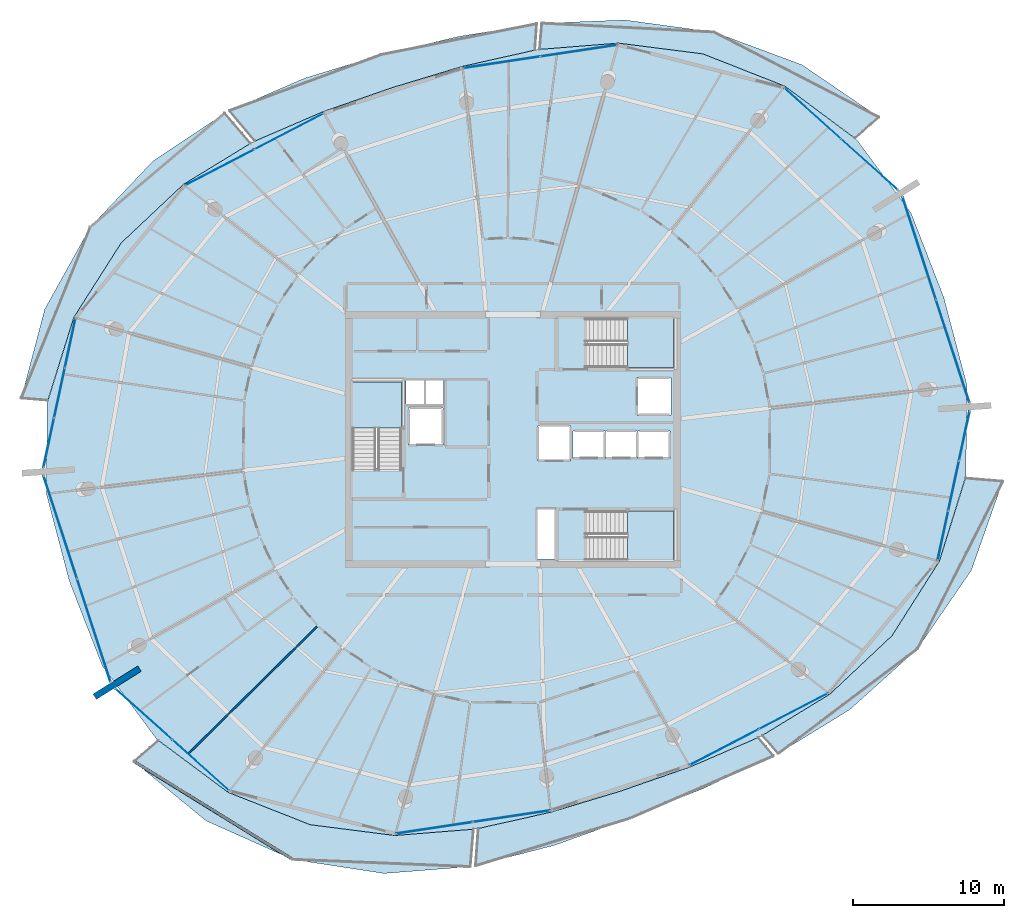
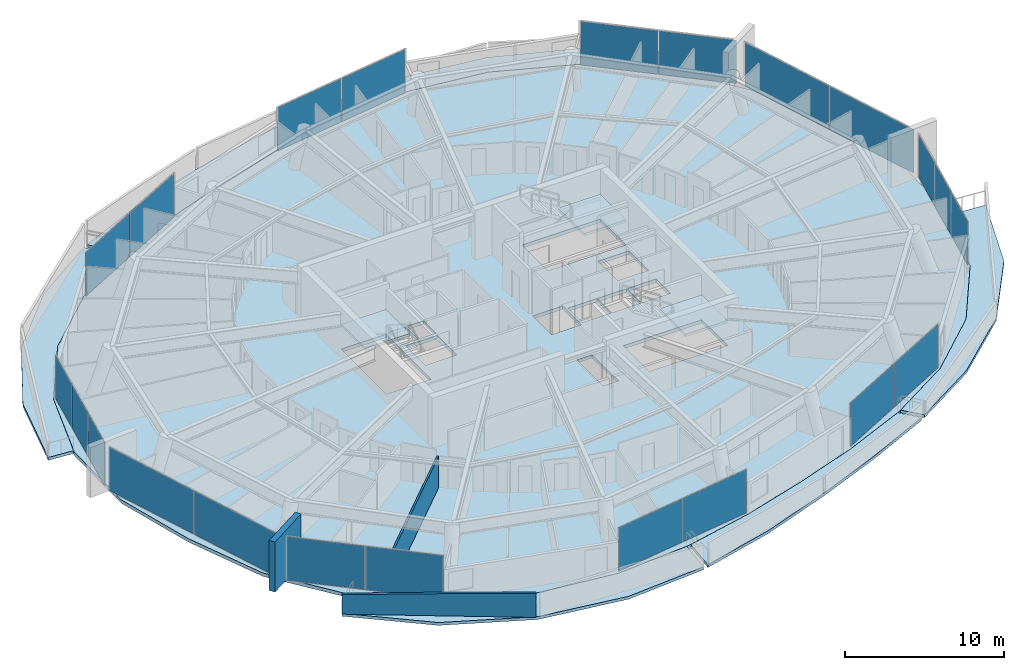
# One storey, part 17 of 30: 22 plates, 10 slabs, 3 walls, 13 elements without a shape of their own.
"""IFC4 building model written with IfcOpenShell, lengths in metres."""

from ifc_helpers import new_model, si_unit, direction, frame, frame_2d, origin, origin_2d, place, context, subcontext, project, spatial, polyline, rectangle, outline, extrude, material, layer, layer_set, type_object, element, aggregate, save


model = new_model("IFC4")

# Units and contexts
model_context = context("Model", 3, precision=1e-05, world=origin(), true_north=direction((0.0, 1.0)))
body_context = subcontext(model_context, "Body", "Model", "MODEL_VIEW")
ifc_project = project(units=[si_unit("LENGTHUNIT", "METRE"), si_unit("AREAUNIT", "SQUARE_METRE"), si_unit("VOLUMEUNIT", "CUBIC_METRE"), si_unit("PLANEANGLEUNIT", "RADIAN"), si_unit("MASSUNIT", "GRAM", prefix="KILO")], contexts=[model_context])

# Site, building, storey
site_placement = place(None, origin())
site = spatial("IfcSite", under=ifc_project, at=site_placement, CompositionType="ELEMENT")
building_placement = place(site_placement, origin())
building = spatial("IfcBuilding", under=site, at=building_placement, Name="Kazma Halo Residences", CompositionType="ELEMENT")
storey_placement = place(building_placement, frame((0.0, 0.0, 302.14990234375)))
storey = spatial("IfcBuildingStorey", under=building, at=storey_placement, Name="L76", CompositionType="ELEMENT", Elevation=302.14990234375)

# Curtain wall, plates
ifc_material_1 = material(Name="Aluminium AW-6063 T6 and Triple-Silver Low-E Glass", Category="aluminium")
ifc_layer_1 = layer(ifc_material_1, 0.139892578125)
ifc_layer_set_1 = layer_set([ifc_layer_1], Name="Aluminium AW-6063 T6 and Triple-Silver Low-E Glass")
curtain_wall_type = type_object("IfcCurtainWallType", Name="CW-SYS-5", PredefinedType="NOTDEFINED", material=ifc_layer_set_1)
curtain_wall_1_placement = place(storey_placement, origin())
curtain_wall_1 = element("IfcCurtainWall", 1, at=curtain_wall_1_placement, inside=storey, type_object=curtain_wall_type, Name="L76 unitised curtain wall B01", PredefinedType="NOTDEFINED")
ifc_material_2 = material(Name="Clear Triple-Silver Low-E Glass IGU", Category="glass")
ifc_layer_2 = layer(ifc_material_2, 0.02587890625)
ifc_layer_set_2 = layer_set([ifc_layer_2], Name="Clear Triple-Silver Low-E Glass IGU")
plate_type = type_object("IfcPlateType", Name="CW-SYS-5-PNL", PredefinedType="CURTAIN_PANEL", material=ifc_layer_set_2)
plate_1_placement = place(storey_placement, frame((72.002685546875, 60.179443359375, 0.06005859375), z_axis=(0.0, 0.0, 1.0), x_axis=(-0.744336424671, 0.667804826958, 0.0)))
plate_1 = element("IfcPlate", 2, at=plate_1_placement, type_object=plate_type, Name="CWS-5 panel 1.1", PredefinedType="CURTAIN_PANEL", context=body_context, shape_type="SweptSolid", body=[
    extrude(rectangle(XDim=4.993408203125, YDim=0.02587890625, at=origin_2d()), origin(), (0.0, 0.0, 1.0), 3.330078125),
])
plate_2_placement = place(storey_placement, frame((68.2412109375, 63.55419921875, 0.06005859375), z_axis=(0.0, 0.0, 1.0), x_axis=(-0.744336424671, 0.667804826958, 0.0)))
plate_2 = element("IfcPlate", 3, at=plate_2_placement, type_object=plate_type, Name="CWS-5 panel 2.1", PredefinedType="CURTAIN_PANEL", context=body_context, shape_type="SweptSolid", body=[
    extrude(rectangle(XDim=4.993408203125, YDim=0.02587890625, at=origin_2d()), origin(), (0.0, 0.0, 1.0), 3.330078125),
])
aggregate(curtain_wall_1, [plate_1, plate_2])

curtain_wall_2_placement = place(storey_placement, origin())
curtain_wall_2 = element("IfcCurtainWall", 4, at=curtain_wall_2_placement, inside=storey, type_object=curtain_wall_type, Name="L76 unitised curtain wall B03", PredefinedType="NOTDEFINED")
plate_3_placement = place(storey_placement, frame((52.77783203125, 67.70361328125, 0.06005859375), z_axis=(0.0, 0.0, 1.0), x_axis=(-0.988882792998, -0.148697080374, 0.0)))
plate_3 = element("IfcPlate", 5, at=plate_3_placement, type_object=plate_type, Name="CWS-5 panel 1.1", PredefinedType="CURTAIN_PANEL", context=body_context, shape_type="SweptSolid", body=[
    extrude(rectangle(XDim=5.099853515625, YDim=0.02587890625, at=origin_2d()), origin(), (0.0, 0.0, 1.0), 3.330078125),
])
plate_4_placement = place(storey_placement, frame((47.67529296875, 66.936279296875, 0.06005859375), z_axis=(0.0, 0.0, 1.0), x_axis=(-0.988882792998, -0.148697080374, 0.0)))
plate_4 = element("IfcPlate", 6, at=plate_4_placement, type_object=plate_type, Name="CWS-5 panel 2.1", PredefinedType="CURTAIN_PANEL", context=body_context, shape_type="SweptSolid", body=[
    extrude(rectangle(XDim=5.099853515625, YDim=0.02587890625, at=origin_2d()), origin(), (0.0, 0.0, 1.0), 3.330078125),
])
aggregate(curtain_wall_2, [plate_3, plate_4])

curtain_wall_3_placement = place(storey_placement, origin())
curtain_wall_3 = element("IfcCurtainWall", 7, at=curtain_wall_3_placement, inside=storey, type_object=curtain_wall_type, Name="L76 unitised curtain wall B05", PredefinedType="NOTDEFINED")
plate_5_placement = place(storey_placement, frame((33.60546875, 62.36474609375, 0.06005859375), z_axis=(0.0, 0.0, 1.0), x_axis=(-0.887420518694, -0.460960760804, 0.0)))
plate_5 = element("IfcPlate", 8, at=plate_5_placement, type_object=plate_type, Name="CWS-5 panel 1.1", PredefinedType="CURTAIN_PANEL", context=body_context, shape_type="SweptSolid", body=[
    extrude(rectangle(XDim=5.099609375, YDim=0.02587890625, at=origin_2d()), origin(), (0.0, 0.0, 1.0), 3.330078125),
])
plate_6_placement = place(storey_placement, frame((29.026611328125, 59.986328125, 0.06005859375), z_axis=(0.0, 0.0, 1.0), x_axis=(-0.887420518694, -0.460960760804, 0.0)))
plate_6 = element("IfcPlate", 9, at=plate_6_placement, type_object=plate_type, Name="CWS-5 panel 2.1", PredefinedType="CURTAIN_PANEL", context=body_context, shape_type="SweptSolid", body=[
    extrude(rectangle(XDim=5.099609375, YDim=0.02587890625, at=origin_2d()), origin(), (0.0, 0.0, 1.0), 3.330078125),
])
aggregate(curtain_wall_3, [plate_5, plate_6])

curtain_wall_4_placement = place(storey_placement, origin())
curtain_wall_4 = element("IfcCurtainWall", 10, at=curtain_wall_4_placement, inside=storey, type_object=curtain_wall_type, Name="L76 unitised curtain wall B07", PredefinedType="NOTDEFINED")
plate_7_placement = place(storey_placement, frame((19.133056640625, 48.36865234375, 0.06005859375), z_axis=(0.0, 0.0, 1.0), x_axis=(-0.209657382603, -0.97777491373, 0.0)))
plate_7 = element("IfcPlate", 11, at=plate_7_placement, type_object=plate_type, Name="CWS-5 panel 1.1", PredefinedType="CURTAIN_PANEL", context=body_context, shape_type="SweptSolid", body=[
    extrude(rectangle(XDim=3.299072265625, YDim=0.02587890625, at=origin_2d()), origin(), (0.0, 0.0, 1.0), 3.330078125),
])
plate_8_placement = place(storey_placement, frame((18.42578125, 45.069580078125, 0.06005859375), z_axis=(0.0, 0.0, 1.0), x_axis=(-0.209657382603, -0.97777491373, 0.0)))
plate_8 = element("IfcPlate", 12, at=plate_8_placement, type_object=plate_type, Name="CWS-5 panel 2.1", PredefinedType="CURTAIN_PANEL", context=body_context, shape_type="SweptSolid", body=[
    extrude(rectangle(XDim=3.3291015625, YDim=0.02587890625, at=origin_2d()), origin(), (0.0, 0.0, 1.0), 3.330078125),
])
plate_9_placement = place(storey_placement, frame((17.71826171875, 41.7705078125, 0.06005859375), z_axis=(0.0, 0.0, 1.0), x_axis=(-0.209657382603, -0.97777491373, 0.0)))
plate_9 = element("IfcPlate", 13, at=plate_9_placement, type_object=plate_type, Name="CWS-5 panel 3.1", PredefinedType="CURTAIN_PANEL", context=body_context, shape_type="SweptSolid", body=[
    extrude(rectangle(XDim=3.299072265625, YDim=0.02587890625, at=origin_2d()), origin(), (0.0, 0.0, 1.0), 3.330078125),
])
aggregate(curtain_wall_4, [plate_7, plate_8, plate_9])

curtain_wall_5_placement = place(storey_placement, origin())
curtain_wall_5 = element("IfcCurtainWall", 14, at=curtain_wall_5_placement, inside=storey, type_object=curtain_wall_type, Name="L76 unitised curtain wall B08", PredefinedType="NOTDEFINED")
plate_10_placement = place(storey_placement, frame((18.48486328125, 36.1787109375, 0.06005859375), z_axis=(0.0, 0.0, 1.0), x_axis=(0.309010998786, -0.951058464359, 0.0)))
plate_10 = element("IfcPlate", 15, at=plate_10_placement, type_object=plate_type, Name="CWS-5 panel 1.1", PredefinedType="CURTAIN_PANEL", context=body_context, shape_type="SweptSolid", body=[
    extrude(rectangle(XDim=7.108642578125, YDim=0.02587890625, at=origin_2d()), origin(), (0.0, 0.0, 1.0), 3.330078125),
])
plate_11_placement = place(storey_placement, frame((20.699951171875, 29.36083984375, 0.06005859375), z_axis=(0.0, 0.0, 1.0), x_axis=(0.309010998786, -0.951058464359, 0.0)))
plate_11 = element("IfcPlate", 16, at=plate_11_placement, type_object=plate_type, Name="CWS-5 panel 2.1", PredefinedType="CURTAIN_PANEL", context=body_context, shape_type="SweptSolid", body=[
    extrude(rectangle(XDim=7.108642578125, YDim=0.02587890625, at=origin_2d()), origin(), (0.0, 0.0, 1.0), 3.330078125),
])
aggregate(curtain_wall_5, [plate_10, plate_11])

curtain_wall_6_placement = place(storey_placement, origin())
curtain_wall_6 = element("IfcCurtainWall", 17, at=curtain_wall_6_placement, inside=storey, type_object=curtain_wall_type, Name="L76 unitised curtain wall B09", PredefinedType="NOTDEFINED")
plate_12_placement = place(storey_placement, frame((23.997314453125, 23.820556640625, 0.06005859375), z_axis=(0.0, 0.0, 1.0), x_axis=(0.744336424671, -0.667804826958, 0.0)))
plate_12 = element("IfcPlate", 18, at=plate_12_placement, type_object=plate_type, Name="CWS-5 panel 1.1", PredefinedType="CURTAIN_PANEL", context=body_context, shape_type="SweptSolid", body=[
    extrude(rectangle(XDim=4.993408203125, YDim=0.02587890625, at=origin_2d()), origin(), (0.0, 0.0, 1.0), 3.330078125),
])
plate_13_placement = place(storey_placement, frame((27.7587890625, 20.44580078125, 0.06005859375), z_axis=(0.0, 0.0, 1.0), x_axis=(0.744336424671, -0.667804826958, 0.0)))
plate_13 = element("IfcPlate", 19, at=plate_13_placement, type_object=plate_type, Name="CWS-5 panel 2.1", PredefinedType="CURTAIN_PANEL", context=body_context, shape_type="SweptSolid", body=[
    extrude(rectangle(XDim=4.993408203125, YDim=0.02587890625, at=origin_2d()), origin(), (0.0, 0.0, 1.0), 3.330078125),
])
aggregate(curtain_wall_6, [plate_12, plate_13])

curtain_wall_7_placement = place(storey_placement, origin())
curtain_wall_7 = element("IfcCurtainWall", 20, at=curtain_wall_7_placement, inside=storey, type_object=curtain_wall_type, Name="L76 unitised curtain wall B11", PredefinedType="NOTDEFINED")
plate_14_placement = place(storey_placement, frame((43.22216796875, 16.29638671875, 0.06005859375), z_axis=(0.0, 0.0, 1.0), x_axis=(0.988882792998, 0.148697080374, 0.0)))
plate_14 = element("IfcPlate", 21, at=plate_14_placement, type_object=plate_type, Name="CWS-5 panel 1.1", PredefinedType="CURTAIN_PANEL", context=body_context, shape_type="SweptSolid", body=[
    extrude(rectangle(XDim=5.099853515625, YDim=0.02587890625, at=origin_2d()), origin(), (0.0, 0.0, 1.0), 3.330078125),
])
plate_15_placement = place(storey_placement, frame((48.32470703125, 17.063720703125, 0.06005859375), z_axis=(0.0, 0.0, 1.0), x_axis=(0.988882792998, 0.148697080374, 0.0)))
plate_15 = element("IfcPlate", 22, at=plate_15_placement, type_object=plate_type, Name="CWS-5 panel 2.1", PredefinedType="CURTAIN_PANEL", context=body_context, shape_type="SweptSolid", body=[
    extrude(rectangle(XDim=5.099853515625, YDim=0.02587890625, at=origin_2d()), origin(), (0.0, 0.0, 1.0), 3.330078125),
])
aggregate(curtain_wall_7, [plate_14, plate_15])

curtain_wall_8_placement = place(storey_placement, origin())
curtain_wall_8 = element("IfcCurtainWall", 23, at=curtain_wall_8_placement, inside=storey, type_object=curtain_wall_type, Name="L76 unitised curtain wall B13", PredefinedType="NOTDEFINED")
plate_16_placement = place(storey_placement, frame((62.39453125, 21.63525390625, 0.06005859375), z_axis=(0.0, 0.0, 1.0), x_axis=(0.887420518694, 0.460960760804, 0.0)))
plate_16 = element("IfcPlate", 24, at=plate_16_placement, type_object=plate_type, Name="CWS-5 panel 1.1", PredefinedType="CURTAIN_PANEL", context=body_context, shape_type="SweptSolid", body=[
    extrude(rectangle(XDim=5.099609375, YDim=0.02587890625, at=origin_2d()), origin(), (0.0, 0.0, 1.0), 3.330078125),
])
plate_17_placement = place(storey_placement, frame((66.973388671875, 24.013671875, 0.06005859375), z_axis=(0.0, 0.0, 1.0), x_axis=(0.887420518694, 0.460960760804, 0.0)))
plate_17 = element("IfcPlate", 25, at=plate_17_placement, type_object=plate_type, Name="CWS-5 panel 2.1", PredefinedType="CURTAIN_PANEL", context=body_context, shape_type="SweptSolid", body=[
    extrude(rectangle(XDim=5.099609375, YDim=0.02587890625, at=origin_2d()), origin(), (0.0, 0.0, 1.0), 3.330078125),
])
aggregate(curtain_wall_8, [plate_16, plate_17])

curtain_wall_9_placement = place(storey_placement, origin())
curtain_wall_9 = element("IfcCurtainWall", 26, at=curtain_wall_9_placement, inside=storey, type_object=curtain_wall_type, Name="L76 unitised curtain wall B15", PredefinedType="NOTDEFINED")
plate_18_placement = place(storey_placement, frame((76.866943359375, 35.63134765625, 0.06005859375), z_axis=(0.0, 0.0, 1.0), x_axis=(0.209657382603, 0.97777491373, 0.0)))
plate_18 = element("IfcPlate", 27, at=plate_18_placement, type_object=plate_type, Name="CWS-5 panel 1.1", PredefinedType="CURTAIN_PANEL", context=body_context, shape_type="SweptSolid", body=[
    extrude(rectangle(XDim=3.299072265625, YDim=0.02587890625, at=origin_2d()), origin(), (0.0, 0.0, 1.0), 3.330078125),
])
plate_19_placement = place(storey_placement, frame((77.57421875, 38.930419921875, 0.06005859375), z_axis=(0.0, 0.0, 1.0), x_axis=(0.209657382603, 0.97777491373, 0.0)))
plate_19 = element("IfcPlate", 28, at=plate_19_placement, type_object=plate_type, Name="CWS-5 panel 2.1", PredefinedType="CURTAIN_PANEL", context=body_context, shape_type="SweptSolid", body=[
    extrude(rectangle(XDim=3.3291015625, YDim=0.02587890625, at=origin_2d()), origin(), (0.0, 0.0, 1.0), 3.330078125),
])
plate_20_placement = place(storey_placement, frame((78.28173828125, 42.2294921875, 0.06005859375), z_axis=(0.0, 0.0, 1.0), x_axis=(0.209657382603, 0.97777491373, 0.0)))
plate_20 = element("IfcPlate", 29, at=plate_20_placement, type_object=plate_type, Name="CWS-5 panel 3.1", PredefinedType="CURTAIN_PANEL", context=body_context, shape_type="SweptSolid", body=[
    extrude(rectangle(XDim=3.299072265625, YDim=0.02587890625, at=origin_2d()), origin(), (0.0, 0.0, 1.0), 3.330078125),
])
aggregate(curtain_wall_9, [plate_18, plate_19, plate_20])

curtain_wall_10_placement = place(storey_placement, origin())
curtain_wall_10 = element("IfcCurtainWall", 30, at=curtain_wall_10_placement, inside=storey, type_object=curtain_wall_type, Name="L76 unitised curtain wall B16", PredefinedType="NOTDEFINED")
plate_21_placement = place(storey_placement, frame((77.51513671875, 47.8212890625, 0.06005859375), z_axis=(0.0, 0.0, 1.0), x_axis=(-0.309010998786, 0.951058464359, 0.0)))
plate_21 = element("IfcPlate", 31, at=plate_21_placement, type_object=plate_type, Name="CWS-5 panel 1.1", PredefinedType="CURTAIN_PANEL", context=body_context, shape_type="SweptSolid", body=[
    extrude(rectangle(XDim=7.108642578125, YDim=0.02587890625, at=origin_2d()), origin(), (0.0, 0.0, 1.0), 3.330078125),
])
plate_22_placement = place(storey_placement, frame((75.300048828125, 54.63916015625, 0.06005859375), z_axis=(0.0, 0.0, 1.0), x_axis=(-0.309010998786, 0.951058464359, 0.0)))
plate_22 = element("IfcPlate", 32, at=plate_22_placement, type_object=plate_type, Name="CWS-5 panel 2.1", PredefinedType="CURTAIN_PANEL", context=body_context, shape_type="SweptSolid", body=[
    extrude(rectangle(XDim=7.108642578125, YDim=0.02587890625, at=origin_2d()), origin(), (0.0, 0.0, 1.0), 3.330078125),
])
aggregate(curtain_wall_10, [plate_21, plate_22])

# Slabs
ifc_material_3 = material(Name="White Concrete C50/60", Category="concrete")
ifc_layer_3 = layer(ifc_material_3, 0.219970703125)
ifc_layer_set_3 = layer_set([ifc_layer_3], Name="White Concrete C50/60")
slab_type_1 = type_object("IfcSlabType", Name="SLB-BAL-WAVE-210", PredefinedType="FLOOR", material=ifc_layer_set_3)
slab_1_placement = place(storey_placement, frame((0.0, 0.0, -0.219970703125)))
element("IfcSlab", 33, at=slab_1_placement, inside=storey, type_object=slab_type_1, Name="L76 NE cantilevered wave balcony slab", PredefinedType="FLOOR", context=body_context, shape_type="SweptSolid", body=[
    extrude(outline(polyline([(71.0400390625, 61.9228515625), (66.41357421875, 65.357421875), (60.990478515625, 67.49560546875), (55.3916015625, 68.208984375), (50.188720703125, 67.794189453125), (50.33544921875, 69.523681640625), (55.82275390625, 69.7373046875), (61.72509765625, 68.936767578125), (67.533447265625, 66.778076171875), (72.63720703125, 63.3037109375), (71.0400390625, 61.9228515625)])), origin(), (0.0, 0.0, 1.0), 0.219970703125),
])
slab_2_placement = place(storey_placement, frame((0.0, 0.0, -0.219970703125)))
element("IfcSlab", 34, at=slab_2_placement, inside=storey, type_object=slab_type_1, Name="L76 NNW cantilevered wave balcony slab", PredefinedType="FLOOR", context=body_context, shape_type="SweptSolid", body=[
    extrude(outline(polyline([(49.8681640625, 67.74609375), (45.080078125, 66.66943359375), (40.43994140625, 65.267333984375), (35.86181640625, 63.67431640625), (31.35546875, 61.731201171875), (29.66259765625, 63.73779296875), (34.62548828125, 65.882080078125), (39.730224609375, 67.451904296875), (44.845458984375, 68.652099609375), (49.994384765625, 69.486083984375), (49.8681640625, 67.74609375)])), origin(), (0.0, 0.0, 1.0), 0.219970703125),
])
slab_3_placement = place(storey_placement, frame((0.0, 0.0, -0.219970703125)))
element("IfcSlab", 35, at=slab_3_placement, inside=storey, type_object=slab_type_1, Name="L76 NW cantilevered wave balcony slab", PredefinedType="FLOOR", context=body_context, shape_type="SweptSolid", body=[
    extrude(outline(polyline([(31.06787109375, 61.58154296875), (26.614501953125, 58.85888671875), (22.50439453125, 54.990478515625), (19.3740234375, 50.0732421875), (17.64990234375, 44.5751953125), (15.89599609375, 44.72412109375), (17.452392578125, 50.615234375), (20.4580078125, 56.033447265625), (24.62744140625, 60.42529296875), (29.34765625, 63.571044921875), (31.06787109375, 61.58154296875)])), origin(), (0.0, 0.0, 1.0), 0.219970703125),
])
slab_4_placement = place(storey_placement, frame((0.0, 0.0, -0.219970703125)))
element("IfcSlab", 36, at=slab_4_placement, inside=storey, type_object=slab_type_1, Name="L76 SW cantilevered wave balcony slab", PredefinedType="FLOOR", context=body_context, shape_type="SweptSolid", body=[
    extrude(outline(polyline([(24.9599609375, 22.0771484375), (29.58642578125, 18.642578125), (35.009521484375, 16.50439453125), (40.6083984375, 15.791015625), (45.811279296875, 16.205810546875), (45.601318359375, 13.72998046875), (39.900390625, 13.28076171875), (33.8388671875, 14.20703125), (28.10888671875, 16.76806640625), (23.348388671875, 20.68359375), (24.9599609375, 22.0771484375)])), origin(), (0.0, 0.0, 1.0), 0.219970703125),
])
slab_5_placement = place(storey_placement, frame((0.0, 0.0, -0.219970703125)))
element("IfcSlab", 37, at=slab_5_placement, inside=storey, type_object=slab_type_1, Name="L76 SSE cantilevered wave balcony slab", PredefinedType="FLOOR", context=body_context, shape_type="SweptSolid", body=[
    extrude(outline(polyline([(46.1318359375, 16.25390625), (50.919921875, 17.33056640625), (55.56005859375, 18.732666015625), (60.13818359375, 20.32568359375), (64.64453125, 22.268798828125), (65.666748046875, 21.05712890625), (60.951904296875, 18.87255859375), (56.146728515625, 16.926513671875), (51.17822265625, 15.146240234375), (45.953369140625, 13.794189453125), (46.1318359375, 16.25390625)])), origin(), (0.0, 0.0, 1.0), 0.219970703125),
])
slab_6_placement = place(storey_placement, frame((0.0, 0.0, -0.219970703125)))
element("IfcSlab", 38, at=slab_6_placement, inside=storey, type_object=slab_type_1, Name="L76 SE cantilevered wave balcony slab", PredefinedType="FLOOR", context=body_context, shape_type="SweptSolid", body=[
    extrude(outline(polyline([(64.93212890625, 22.41845703125), (69.385498046875, 25.14111328125), (73.49560546875, 29.009521484375), (76.6259765625, 33.9267578125), (78.35009765625, 39.4248046875), (80.822998046875, 39.21484375), (78.742919921875, 33.32958984375), (75.1875, 28.147216796875), (70.693359375, 24.110107421875), (65.972412109375, 21.215576171875), (64.93212890625, 22.41845703125)])), origin(), (0.0, 0.0, 1.0), 0.219970703125),
])
ifc_material_4 = material(Name="Concrete C50/60", Category="concrete")
ifc_layer_4 = layer(ifc_material_4, 0.260009765625)
ifc_layer_set_4 = layer_set([ifc_layer_4], Name="Concrete C50/60")
slab_type_2 = type_object("IfcSlabType", Name="SLB-RES-260", PredefinedType="FLOOR", material=ifc_layer_set_4)
slab_7_placement = place(storey_placement, frame((0.0, 0.0, -0.260009765625)))
element("IfcSlab", 39, at=slab_7_placement, inside=storey, type_object=slab_type_2, Name="L76 structural floor slab", PredefinedType="FLOOR", context=body_context, shape_type="SweptSolid", body=[
    extrude(outline(polyline([(76.9189453125, 51.396240234375), (74.749755859375, 56.980712890625), (71.180419921875, 61.7978515625), (66.412109375, 65.355712890625), (60.98974609375, 67.49365234375), (55.39111328125, 68.207275390625), (50.02880859375, 67.7783203125), (45.080322265625, 66.66748046875), (40.440673828125, 65.265380859375), (35.86279296875, 63.672607421875), (31.20654296875, 61.66259765625), (26.6162109375, 58.857666015625), (22.50634765625, 54.98974609375), (19.3759765625, 50.07275390625), (17.60986328125, 44.391845703125), (17.5537109375, 38.396484375), (19.0810546875, 32.603759765625), (21.250244140625, 27.019287109375), (24.819580078125, 22.2021484375), (29.587890625, 18.644287109375), (35.01025390625, 16.50634765625), (40.60888671875, 15.792724609375), (45.97119140625, 16.2216796875), (50.919677734375, 17.33251953125), (55.559326171875, 18.734619140625), (60.13720703125, 20.327392578125), (64.79345703125, 22.33740234375), (69.3837890625, 25.142333984375), (73.49365234375, 29.01025390625), (76.6240234375, 33.92724609375), (78.39013671875, 39.608154296875), (78.4462890625, 45.603515625), (76.9189453125, 51.396240234375)]), holes=[polyline([(37.800048828125, 40.110107421875), (41.050048828125, 40.110107421875), (41.050048828125, 45.800048828125), (37.800048828125, 45.800048828125), (37.800048828125, 40.110107421875)]), polyline([(53.360107421875, 46.75), (59.050048828125, 46.75), (59.050048828125, 50.0), (53.360107421875, 50.0), (53.360107421875, 46.75)]), polyline([(53.360107421875, 34.0), (59.050048828125, 34.0), (59.050048828125, 37.25), (53.360107421875, 37.25), (53.360107421875, 34.0)]), polyline([(41.52001953125, 41.6201171875), (43.780029296875, 41.6201171875), (43.780029296875, 44.080078125), (41.52001953125, 44.080078125), (41.52001953125, 41.6201171875)]), polyline([(56.6201171875, 43.6201171875), (58.8798828125, 43.6201171875), (58.8798828125, 46.080078125), (56.6201171875, 46.080078125), (56.6201171875, 43.6201171875)]), polyline([(52.39501953125, 40.7451171875), (54.5048828125, 40.7451171875), (54.5048828125, 42.554931640625), (52.39501953125, 42.554931640625), (52.39501953125, 40.7451171875)]), polyline([(54.544921875, 40.7451171875), (56.655029296875, 40.7451171875), (56.655029296875, 42.554931640625), (54.544921875, 42.554931640625), (54.544921875, 40.7451171875)]), polyline([(56.695068359375, 40.7451171875), (58.804931640625, 40.7451171875), (58.804931640625, 42.554931640625), (56.695068359375, 42.554931640625), (56.695068359375, 40.7451171875)]), polyline([(50.070068359375, 40.570068359375), (52.22998046875, 40.570068359375), (52.22998046875, 42.929931640625), (50.070068359375, 42.929931640625), (50.070068359375, 40.570068359375)]), polyline([(41.360107421875, 44.340087890625), (42.5400390625, 44.340087890625), (42.5400390625, 45.89990234375), (41.360107421875, 45.89990234375), (41.360107421875, 44.340087890625)]), polyline([(42.659912109375, 44.340087890625), (43.840087890625, 44.340087890625), (43.840087890625, 45.89990234375), (42.659912109375, 45.89990234375), (42.659912109375, 44.340087890625)]), polyline([(50.06005859375, 34.080078125), (51.159912109375, 34.080078125), (51.159912109375, 37.3798828125), (50.06005859375, 37.3798828125), (50.06005859375, 34.080078125)])]), origin(), (0.0, 0.0, 1.0), 0.260009765625),
])

# Stair, slab
stair_type = type_object("IfcStairType", Name="STR-RES2", PredefinedType="HALF_TURN_STAIR", material=ifc_material_4)
stair_1_placement = place(storey_placement, origin())
stair_1 = element("IfcStair", 40, at=stair_1_placement, inside=storey, type_object=stair_type, Name="L76 Core exit stair ST-01", PredefinedType="HALF_TURN_STAIR")
ifc_layer_5 = layer(ifc_material_4, 0.199951171875)
ifc_layer_set_5 = layer_set([ifc_layer_5], Name="Concrete C50/60")
slab_type_3 = type_object("IfcSlabType", Name="SLB-STAIR-LND-200", PredefinedType="LANDING", material=ifc_layer_set_5)
slab_8_placement = place(storey_placement, frame((0.0, 0.0, 1.72509765625)))
slab_8 = element("IfcSlab", 41, at=slab_8_placement, type_object=slab_type_3, Name="ST-01 landing 1", PredefinedType="LANDING", context=body_context, shape_type="SweptSolid", body=[
    extrude(outline(polyline([(41.050048828125, 42.75), (41.050048828125, 45.800048828125), (37.800048828125, 45.800048828125), (37.800048828125, 42.75), (41.050048828125, 42.75)])), origin(), (0.0, 0.0, 1.0), 0.199951171875),
])
aggregate(stair_1, [slab_8])

stair_2_placement = place(storey_placement, origin())
stair_2 = element("IfcStair", 42, at=stair_2_placement, inside=storey, type_object=stair_type, Name="L76 Core exit stair ST-02", PredefinedType="HALF_TURN_STAIR")
slab_9_placement = place(storey_placement, frame((0.0, 0.0, 1.72509765625)))
slab_9 = element("IfcSlab", 43, at=slab_9_placement, type_object=slab_type_3, Name="ST-02 landing 1", PredefinedType="LANDING", context=body_context, shape_type="SweptSolid", body=[
    extrude(outline(polyline([(56.0, 46.75), (59.050048828125, 46.75), (59.050048828125, 50.0), (56.0, 50.0), (56.0, 46.75)])), origin(), (0.0, 0.0, 1.0), 0.199951171875),
])
aggregate(stair_2, [slab_9])

stair_3_placement = place(storey_placement, origin())
stair_3 = element("IfcStair", 44, at=stair_3_placement, inside=storey, type_object=stair_type, Name="L76 Core exit stair ST-03", PredefinedType="HALF_TURN_STAIR")
slab_10_placement = place(storey_placement, frame((0.0, 0.0, 1.72509765625)))
slab_10 = element("IfcSlab", 45, at=slab_10_placement, type_object=slab_type_3, Name="ST-03 landing 1", PredefinedType="LANDING", context=body_context, shape_type="SweptSolid", body=[
    extrude(outline(polyline([(56.0, 34.0), (59.050048828125, 34.0), (59.050048828125, 37.25), (56.0, 37.25), (56.0, 34.0)])), origin(), (0.0, 0.0, 1.0), 0.199951171875),
])
aggregate(stair_3, [slab_10])

# Walls
ifc_material_5 = material(Name="White Concrete C50/60 Balustrade", Category="concrete")
ifc_layer_6 = layer(ifc_material_5, 0.179931640625)
ifc_layer_set_6 = layer_set([ifc_layer_6], Name="White Concrete C50/60 Balustrade")
wall_type_1 = type_object("IfcWallType", Name="WL-BAL-WAVE-180", PredefinedType="PARAPET", material=ifc_layer_set_6)
wall_1_placement = place(storey_placement, frame((23.348388671875, 20.68359375, 0.0), z_axis=(0.0, 0.0, 1.0), x_axis=(0.850900796978, -0.52532640682, 0.0)))
element("IfcWall", 46, at=wall_1_placement, inside=storey, type_object=wall_type_1, Name="L76 white wave balustrade wall SW.1", PredefinedType="PARAPET", context=body_context, shape_type="SweptSolid", body=[
    extrude(outline(polyline([(0.0, 0.0), (12.208740234375, 0.0), (12.20849609375, 1.83203125), (6.104248046875, 1.696044921875), (0.0, 1.4970703125), (0.0, 0.0)])), frame((0.0, 0.08984375, 0.0), z_axis=(0.0, -1.0, 0.0), x_axis=(1.0, 0.0, 0.0)), (0.0, 0.0, 1.0), 0.179931640625),
])
ifc_material_6 = material(Name="Pale Concrete C60/75", Category="concrete")
ifc_layer_7 = layer(ifc_material_6, 0.419921875)
ifc_layer_set_7 = layer_set([ifc_layer_7], Name="Pale Concrete C60/75")
wall_type_2 = type_object("IfcWallType", Name="WL-BLADE-420", PredefinedType="SOLIDWALL", material=ifc_layer_set_7)
wall_2_placement = place(storey_placement, frame((23.718505859375, 26.827392578125, 0.0), z_axis=(0.0, 0.0, 1.0), x_axis=(-0.848033572426, -0.529942506352, 0.0)))
element("IfcWall", 47, at=wall_2_placement, inside=storey, type_object=wall_type_2, Name="L76 pale concrete structural blade fin wall BW-03", PredefinedType="SOLIDWALL", context=body_context, shape_type="SweptSolid", body=[
    extrude(rectangle(XDim=3.5, YDim=0.419921875, at=frame_2d((1.75, 0.0))), origin(), (0.0, 0.0, 1.0), 3.85009765625),
])
ifc_material_7 = material(Name="Gypsum Plasterboard Partition")
ifc_layer_8 = layer(ifc_material_7, 0.125)
ifc_layer_set_8 = layer_set([ifc_layer_8], Name="Gypsum Plasterboard Partition")
wall_type_3 = type_object("IfcWallType", Name="WL-PART-125", PredefinedType="PARTITIONING", material=ifc_layer_set_8)
wall_3_placement = place(storey_placement, frame((35.454833984375, 29.6044921875, 0.0), z_axis=(0.0, 0.0, 1.0), x_axis=(-0.7113322125, -0.702855947872, 0.0)))
element("IfcWall", 48, at=wall_3_placement, inside=storey, type_object=wall_type_3, Name="L76 Apartment 2 suite divider 8", PredefinedType="PARTITIONING", context=body_context, shape_type="SweptSolid", body=[
    extrude(rectangle(XDim=11.953125, YDim=0.125, at=frame_2d((5.9765625, 0.0))), origin(), (0.0, 0.0, 1.0), 2.425048828125),
])

save(model, "model.ifc")
